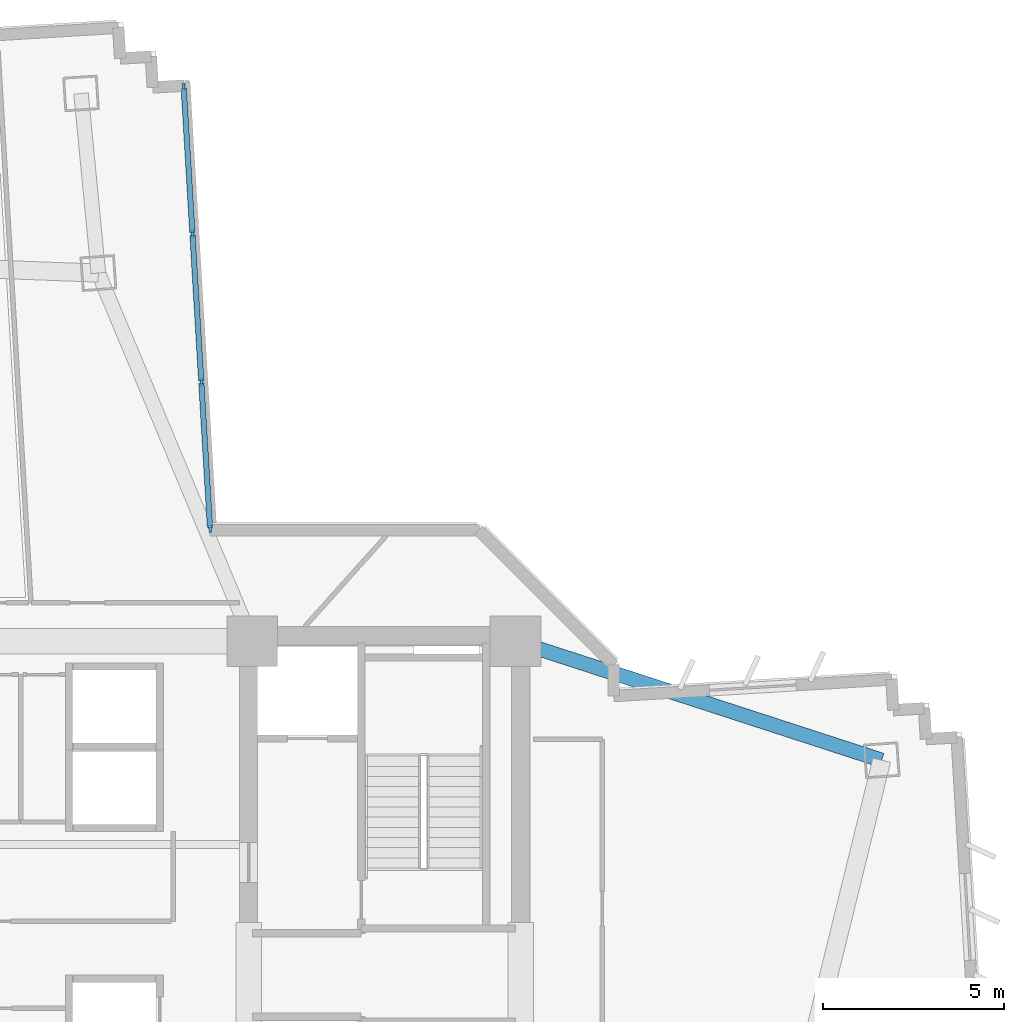
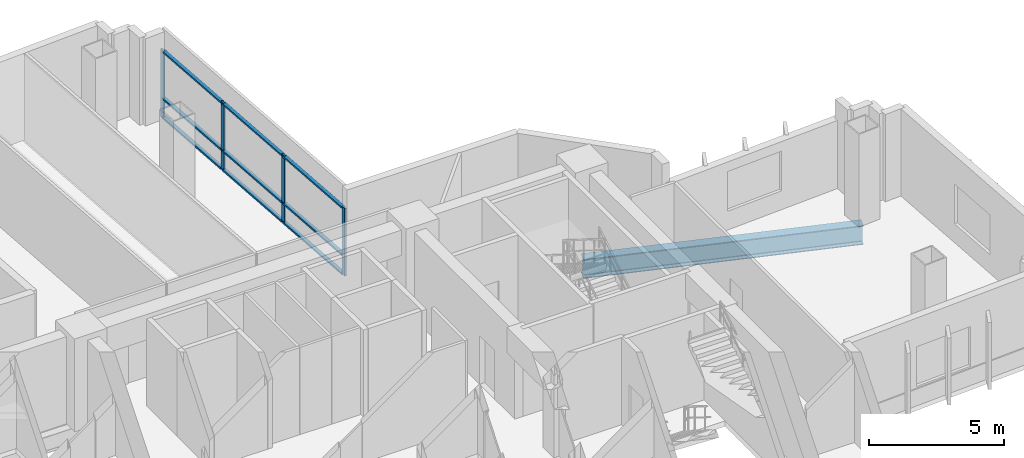
# One storey, part 4 of 15: 13 members, 1 beam, 1 element without a shape of its own.
"""IFC4 building model written with IfcOpenShell, lengths in metres."""

from ifc_helpers import new_model, si_unit, direction, frame, origin, origin_2d, place, context, subcontext, project, spatial, rectangle, i_section, extrude, source, transform, mapped, material, layer, layer_set, material_profile, profile_set, type_object, element, aggregate, save


model = new_model("IFC4")

# Units and contexts
model_context = context("Model", 3, precision=1e-05, world=origin(), true_north=direction((0.0, 1.0)))
body_context = subcontext(model_context, "Body", "Model", "MODEL_VIEW")
ifc_project = project(units=[si_unit("LENGTHUNIT", "METRE"), si_unit("AREAUNIT", "SQUARE_METRE"), si_unit("VOLUMEUNIT", "CUBIC_METRE"), si_unit("PLANEANGLEUNIT", "RADIAN"), si_unit("MASSUNIT", "GRAM", prefix="KILO")], contexts=[model_context])

# Site, building, storey
site_placement = place(None, origin())
site = spatial("IfcSite", under=ifc_project, at=site_placement, CompositionType="ELEMENT")
building_placement = place(site_placement, origin())
building = spatial("IfcBuilding", under=site, at=building_placement, Name="Zahravan Cultural Tower", CompositionType="ELEMENT")
storey_placement = place(building_placement, frame((0.0, 0.0, 71.10009765625)))
storey = spatial("IfcBuildingStorey", under=building, at=storey_placement, Name="L15", CompositionType="ELEMENT", Elevation=71.10009765625)

# Beam
ifc_material_1 = material(Name="Steel ASTM A992 Grade 50", Category="steel")
ifc_material_profile_1 = material_profile(ifc_material_1, i_section(OverallWidth=0.39990234375, OverallDepth=0.862060546875, WebThickness=0.019775390625, FlangeThickness=0.032470703125, FilletRadius=0.02001953125, at=origin_2d()), Name="W33X221")
ifc_profile_set_1 = profile_set([ifc_material_profile_1], Name="Steel ASTM A992 Grade 50")
beam_type = type_object("IfcBeamType", Name="BM-G-W33X221", PredefinedType="BEAM", material=ifc_profile_set_1)
shared_shape_1 = source(origin(), body_context, "Body", "SweptSolid", [
    extrude(i_section(OverallWidth=0.39990234375, OverallDepth=0.862060546875, WebThickness=0.019775390625, FlangeThickness=0.032470703125, FilletRadius=0.02001953125, at=origin_2d()), origin(), (0.0, 0.0, 1.0), 10.615966796875),
])
beam_placement = place(storey_placement, frame((50.35009765625, 36.199951171875, -0.68115234375), z_axis=(0.951063640083, -0.30899506875, 0.0), x_axis=(0.30899506875, 0.951063640083, 0.0)))
element("IfcBeam", 1, at=beam_placement, inside=storey, type_object=beam_type, Name="L15 Beam BG-L15-11", PredefinedType="BEAM", context=body_context, shape_type="MappedRepresentation", body=[
    mapped(shared_shape_1, transform((0.0, 0.0, 0.0), x_axis=(1.0, 0.0, 0.0), y_axis=(0.0, 1.0, 0.0), z_axis=(0.0, 0.0, 1.0), scale=1.0)),
])

# Curtain wall, members
ifc_material_2 = material(Name="Anodised bronze-aluminium mullion", Category="aluminium")
ifc_layer = layer(ifc_material_2, 0.199951171875)
ifc_layer_set = layer_set([ifc_layer], Name="Anodised bronze-aluminium mullion")
curtain_wall_type = type_object("IfcCurtainWallType", Name="CW-SYS-2", PredefinedType="USERDEFINED", material=ifc_layer_set)
curtain_wall_placement = place(storey_placement, origin())
curtain_wall = element("IfcCurtainWall", 2, at=curtain_wall_placement, inside=storey, type_object=curtain_wall_type, Name="L15 Recessed Curtain Wall CW-2.2", ObjectType="RECESSED GLAZING", PredefinedType="USERDEFINED")
ifc_material_profile_2 = material_profile(ifc_material_2, rectangle(XDim=0.074951171875, YDim=0.199951171875, at=origin_2d()), Name="AL-M75X200")
ifc_profile_set_2 = profile_set([ifc_material_profile_2], Name="Anodised bronze-aluminium mullion")
member_type_1 = type_object("IfcMemberType", Name="CWM-CW-2", PredefinedType="MULLION", material=ifc_profile_set_2)
shared_shape_2 = source(origin(), body_context, "Body", "SweptSolid", [
    extrude(rectangle(XDim=0.074951171875, YDim=0.199951171875, at=origin_2d()), origin(), (0.0, 0.0, 1.0), 3.06982421875),
])
member_1_placement = place(storey_placement, frame((41.209228515625, 51.476806640625, 0.0), z_axis=(0.0, 0.0, 1.0), x_axis=(0.998219222021, 0.059652198511, 0.0)))
member_1 = element("IfcMember", 3, at=member_1_placement, type_object=member_type_1, Name="CW-2 mullion 1", PredefinedType="MULLION", context=body_context, shape_type="MappedRepresentation", body=[
    mapped(shared_shape_2, transform((0.0, 0.0, 0.0), x_axis=(1.0, 0.0, 0.0), y_axis=(0.0, 1.0, 0.0), z_axis=(0.0, 0.0, 1.0), scale=1.0)),
])
member_2_placement = place(storey_placement, frame((41.450927734375, 47.429443359375, 0.0), z_axis=(0.0, 0.0, 1.0), x_axis=(0.998219222021, 0.059652198511, 0.0)))
member_2 = element("IfcMember", 4, at=member_2_placement, type_object=member_type_1, Name="CW-2 mullion 2", PredefinedType="MULLION", context=body_context, shape_type="MappedRepresentation", body=[
    mapped(shared_shape_2, transform((0.0, 0.0, 0.0), x_axis=(1.0, 0.0, 0.0), y_axis=(0.0, 1.0, 0.0), z_axis=(0.0, 0.0, 1.0), scale=1.0)),
])
member_3_placement = place(storey_placement, frame((41.695068359375, 43.3447265625, 0.0), z_axis=(0.0, 0.0, 1.0), x_axis=(0.998219222021, 0.059652198511, 0.0)))
member_3 = element("IfcMember", 5, at=member_3_placement, type_object=member_type_1, Name="CW-2 mullion 3", PredefinedType="MULLION", context=body_context, shape_type="MappedRepresentation", body=[
    mapped(shared_shape_2, transform((0.0, 0.0, 0.0), x_axis=(1.0, 0.0, 0.0), y_axis=(0.0, 1.0, 0.0), z_axis=(0.0, 0.0, 1.0), scale=1.0)),
])
member_4_placement = place(storey_placement, frame((41.93701171875, 39.29736328125, 0.0), z_axis=(0.0, 0.0, 1.0), x_axis=(0.998219222021, 0.059652198511, 0.0)))
member_4 = element("IfcMember", 6, at=member_4_placement, type_object=member_type_1, Name="CW-2 mullion 4", PredefinedType="MULLION", context=body_context, shape_type="MappedRepresentation", body=[
    mapped(shared_shape_2, transform((0.0, 0.0, 0.0), x_axis=(1.0, 0.0, 0.0), y_axis=(0.0, 1.0, 0.0), z_axis=(0.0, 0.0, 1.0), scale=1.0)),
])
ifc_material_profile_3 = material_profile(ifc_material_2, rectangle(XDim=0.14990234375, YDim=0.074951171875, at=origin_2d()), Name="AL-T75X150")
ifc_profile_set_3 = profile_set([ifc_material_profile_3], Name="Anodised bronze-aluminium mullion")
member_type_2 = type_object("IfcMemberType", Name="CWT-CW-2", PredefinedType="USERDEFINED", material=ifc_profile_set_3)
shared_shape_3 = source(origin(), body_context, "Body", "SweptSolid", [
    extrude(rectangle(XDim=0.14990234375, YDim=0.074951171875, at=origin_2d()), origin(), (0.0, 0.0, 1.0), 3.9794921875),
])
member_5_placement = place(storey_placement, frame((41.21142578125, 51.439453125, 0.037353515625), z_axis=(0.059631876591, -0.998220436224, 0.0), x_axis=(0.998220436224, 0.059631876591, 0.0)))
member_5 = element("IfcMember", 7, at=member_5_placement, type_object=member_type_2, Name="CW-2 transom 1.1", ObjectType="TRANSOM", PredefinedType="USERDEFINED", context=body_context, shape_type="MappedRepresentation", body=[
    mapped(shared_shape_3, transform((0.0, 0.0, 0.0), x_axis=(1.0, 0.0, 0.0), y_axis=(0.0, 1.0, 0.0), z_axis=(0.0, 0.0, 1.0), scale=1.0)),
])
member_6_placement = place(storey_placement, frame((41.21142578125, 51.439453125, 0.89990234375), z_axis=(0.059631876591, -0.998220436224, 0.0), x_axis=(0.998220436224, 0.059631876591, 0.0)))
member_6 = element("IfcMember", 8, at=member_6_placement, type_object=member_type_2, Name="CW-2 transom 1.2", ObjectType="TRANSOM", PredefinedType="USERDEFINED", context=body_context, shape_type="MappedRepresentation", body=[
    mapped(shared_shape_3, transform((0.0, 0.0, 0.0), x_axis=(1.0, 0.0, 0.0), y_axis=(0.0, 1.0, 0.0), z_axis=(0.0, 0.0, 1.0), scale=1.0)),
])
member_7_placement = place(storey_placement, frame((41.21142578125, 51.439453125, 3.032470703125), z_axis=(0.059631876591, -0.998220436224, 0.0), x_axis=(0.998220436224, 0.059631876591, 0.0)))
member_7 = element("IfcMember", 9, at=member_7_placement, type_object=member_type_2, Name="CW-2 transom 1.3", ObjectType="TRANSOM", PredefinedType="USERDEFINED", context=body_context, shape_type="MappedRepresentation", body=[
    mapped(shared_shape_3, transform((0.0, 0.0, 0.0), x_axis=(1.0, 0.0, 0.0), y_axis=(0.0, 1.0, 0.0), z_axis=(0.0, 0.0, 1.0), scale=1.0)),
])
member_8_placement = place(storey_placement, frame((41.697265625, 43.307373046875, 0.037353515625), z_axis=(0.059693007766, -0.99821678248, 0.0), x_axis=(0.99821678248, 0.059693007766, 0.0)))
member_8 = element("IfcMember", 10, at=member_8_placement, type_object=member_type_2, Name="CW-2 transom 3.1", ObjectType="TRANSOM", PredefinedType="USERDEFINED", context=body_context, shape_type="MappedRepresentation", body=[
    mapped(shared_shape_3, transform((0.0, 0.0, 0.0), x_axis=(1.0, 0.0, 0.0), y_axis=(0.0, 1.0, 0.0), z_axis=(0.0, 0.0, 1.0), scale=1.0)),
])
member_9_placement = place(storey_placement, frame((41.697265625, 43.307373046875, 0.89990234375), z_axis=(0.059693007766, -0.99821678248, 0.0), x_axis=(0.99821678248, 0.059693007766, 0.0)))
member_9 = element("IfcMember", 11, at=member_9_placement, type_object=member_type_2, Name="CW-2 transom 3.2", ObjectType="TRANSOM", PredefinedType="USERDEFINED", context=body_context, shape_type="MappedRepresentation", body=[
    mapped(shared_shape_3, transform((0.0, 0.0, 0.0), x_axis=(1.0, 0.0, 0.0), y_axis=(0.0, 1.0, 0.0), z_axis=(0.0, 0.0, 1.0), scale=1.0)),
])
member_10_placement = place(storey_placement, frame((41.697265625, 43.307373046875, 3.032470703125), z_axis=(0.059693007766, -0.99821678248, 0.0), x_axis=(0.99821678248, 0.059693007766, 0.0)))
member_10 = element("IfcMember", 12, at=member_10_placement, type_object=member_type_2, Name="CW-2 transom 3.3", ObjectType="TRANSOM", PredefinedType="USERDEFINED", context=body_context, shape_type="MappedRepresentation", body=[
    mapped(shared_shape_3, transform((0.0, 0.0, 0.0), x_axis=(1.0, 0.0, 0.0), y_axis=(0.0, 1.0, 0.0), z_axis=(0.0, 0.0, 1.0), scale=1.0)),
])
shared_shape_4 = source(origin(), body_context, "Body", "SweptSolid", [
    extrude(rectangle(XDim=0.14990234375, YDim=0.074951171875, at=origin_2d()), origin(), (0.0, 0.0, 1.0), 4.01708984375),
])
member_11_placement = place(storey_placement, frame((41.453125, 47.39208984375, 0.037353515625), z_axis=(0.059680342409, -0.998217539783, 0.0), x_axis=(0.998217539783, 0.059680342409, 0.0)))
member_11 = element("IfcMember", 13, at=member_11_placement, type_object=member_type_2, Name="CW-2 transom 2.1", ObjectType="TRANSOM", PredefinedType="USERDEFINED", context=body_context, shape_type="MappedRepresentation", body=[
    mapped(shared_shape_4, transform((0.0, 0.0, 0.0), x_axis=(1.0, 0.0, 0.0), y_axis=(0.0, 1.0, 0.0), z_axis=(0.0, 0.0, 1.0), scale=1.0)),
])
member_12_placement = place(storey_placement, frame((41.453125, 47.39208984375, 0.89990234375), z_axis=(0.059680342409, -0.998217539783, 0.0), x_axis=(0.998217539783, 0.059680342409, 0.0)))
member_12 = element("IfcMember", 14, at=member_12_placement, type_object=member_type_2, Name="CW-2 transom 2.2", ObjectType="TRANSOM", PredefinedType="USERDEFINED", context=body_context, shape_type="MappedRepresentation", body=[
    mapped(shared_shape_4, transform((0.0, 0.0, 0.0), x_axis=(1.0, 0.0, 0.0), y_axis=(0.0, 1.0, 0.0), z_axis=(0.0, 0.0, 1.0), scale=1.0)),
])
member_13_placement = place(storey_placement, frame((41.453125, 47.39208984375, 3.032470703125), z_axis=(0.059680342409, -0.998217539783, 0.0), x_axis=(0.998217539783, 0.059680342409, 0.0)))
member_13 = element("IfcMember", 15, at=member_13_placement, type_object=member_type_2, Name="CW-2 transom 2.3", ObjectType="TRANSOM", PredefinedType="USERDEFINED", context=body_context, shape_type="MappedRepresentation", body=[
    mapped(shared_shape_4, transform((0.0, 0.0, 0.0), x_axis=(1.0, 0.0, 0.0), y_axis=(0.0, 1.0, 0.0), z_axis=(0.0, 0.0, 1.0), scale=1.0)),
])
aggregate(curtain_wall, [member_1, member_2, member_3, member_4, member_5, member_6, member_7, member_11, member_12, member_13, member_8, member_9, member_10])

save(model, "model.ifc")
